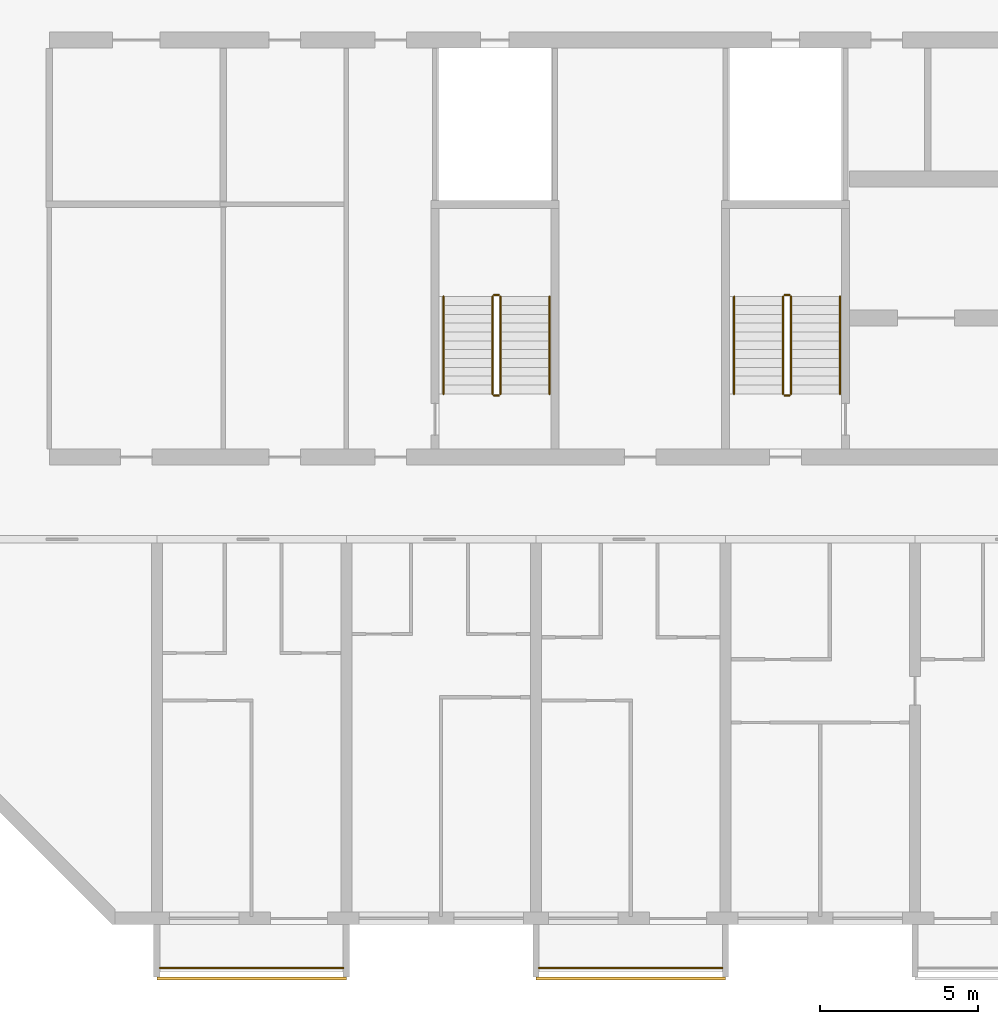
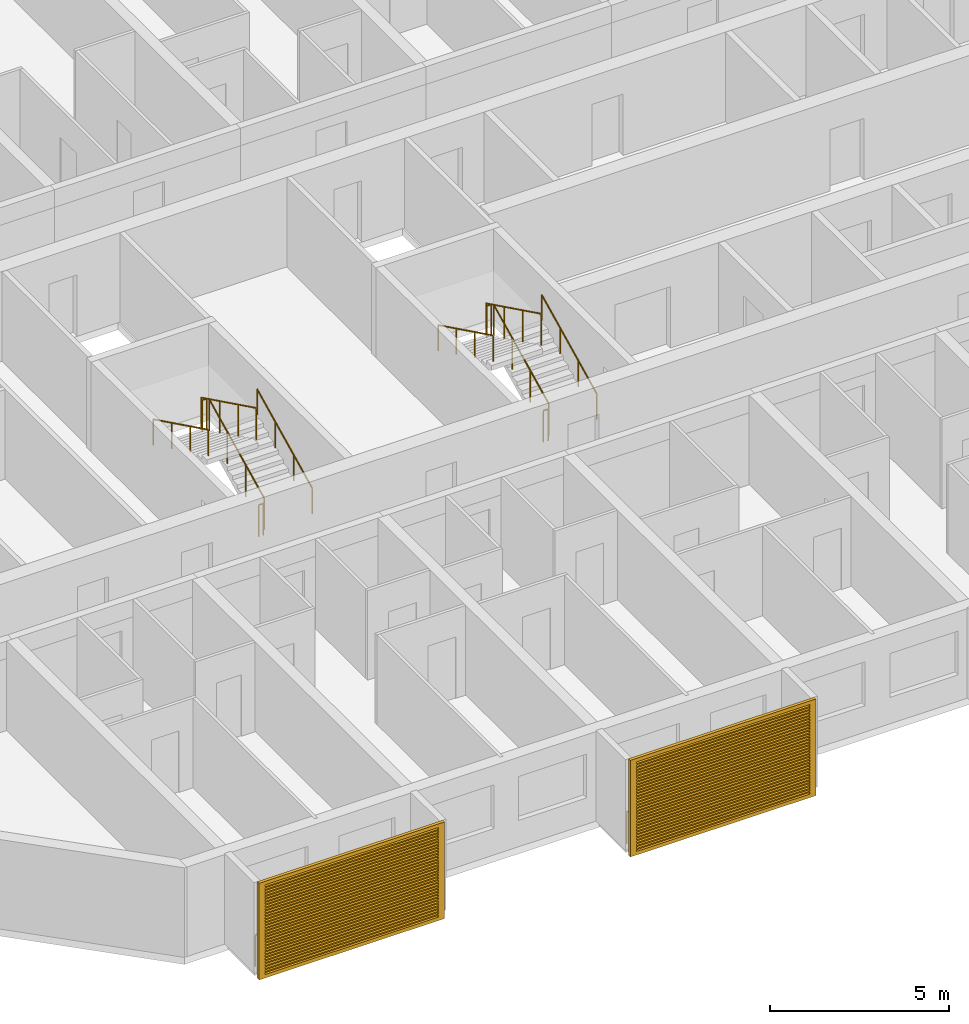
# One storey, part 17 of 26: 14 railings, 2 shading devices.
"""IFC4 building model written with IfcOpenShell, lengths in metres."""

from ifc_helpers import new_model, si_unit, direction, frame, origin, origin_2d, place, context, subcontext, project, spatial, polyline, circle, outline, extrude, source, transform, mapped, material, material_profile, profile_set, type_object, element, save


model = new_model("IFC4")

# Units and contexts
model_context = context("Model", 3, precision=1e-05, world=origin(), true_north=direction((0.0, 1.0)))
body_context = subcontext(model_context, "Body", "Model", "MODEL_VIEW")
ifc_project = project(units=[si_unit("LENGTHUNIT", "METRE"), si_unit("AREAUNIT", "SQUARE_METRE"), si_unit("VOLUMEUNIT", "CUBIC_METRE"), si_unit("PLANEANGLEUNIT", "RADIAN"), si_unit("MASSUNIT", "GRAM", prefix="KILO")], contexts=[model_context])

# Site, building, storey
site_placement = place(None, origin())
site = spatial("IfcSite", under=ifc_project, at=site_placement, CompositionType="ELEMENT")
building_placement = place(site_placement, origin())
building = spatial("IfcBuilding", under=site, at=building_placement, Name="Poui Terraces", CompositionType="ELEMENT")
storey_placement = place(building_placement, frame((0.0, 0.0, 79.5)))
storey = spatial("IfcBuildingStorey", under=building, at=storey_placement, Name="L21", CompositionType="ELEMENT", Elevation=79.5)

# Railings
ifc_material_1 = material(Name="Painted steel fretwork", Category="steel")
railing_type_1 = type_object("IfcRailingType", Name="BALCONY GUARD 1100", PredefinedType="GUARDRAIL", material=ifc_material_1)
for number, where, name in (
    (1, (12.10009765625, -1.570068359375, 0.0), "BALCONY GUARD"),
    (2, (24.10009765625, -1.570068359375, 0.0), "BALCONY GUARD"),
):
    element("IfcRailing", number, at=place(storey_placement, frame(where)), inside=storey, type_object=railing_type_1, Name=name, PredefinedType="GUARDRAIL", context=body_context, shape_type="SweptSolid", body=[
        extrude(circle(Radius=0.02392578125, at=origin_2d()), frame((0.0, 0.0, 1.076171875), z_axis=(1.0, 0.0, 0.0), x_axis=(0.0, 1.0, 0.0)), (0.0, 0.0, 1.0), 5.7998046875),
        extrude(circle(Radius=0.02099609375, at=origin_2d()), origin(), (0.0, 0.0, 1.0), 1.052001953125),
        extrude(circle(Radius=0.02099609375, at=origin_2d()), frame((0.966552734375, 0.0, 0.0)), (0.0, 0.0, 1.0), 1.052001953125),
        extrude(circle(Radius=0.02099609375, at=origin_2d()), frame((1.933349609375, 0.0, 0.0)), (0.0, 0.0, 1.0), 1.052001953125),
        extrude(circle(Radius=0.02099609375, at=origin_2d()), frame((2.89990234375, 0.0, 0.0)), (0.0, 0.0, 1.0), 1.052001953125),
        extrude(circle(Radius=0.02099609375, at=origin_2d()), frame((3.866455078125, 0.0, 0.0)), (0.0, 0.0, 1.0), 1.052001953125),
        extrude(circle(Radius=0.02099609375, at=origin_2d()), frame((4.833251953125, 0.0, 0.0)), (0.0, 0.0, 1.0), 1.052001953125),
        extrude(circle(Radius=0.02099609375, at=origin_2d()), frame((5.7998046875, 0.0, 0.0)), (0.0, 0.0, 1.0), 1.052001953125),
    ])
ifc_material_2 = material(Name="Galvanised steel balustrade", Category="steel")
railing_type_2 = type_object("IfcRailingType", Name="STAIR GUARD 1100", PredefinedType="GUARDRAIL", material=ifc_material_2)
railing_1_placement = place(storey_placement, frame((32.074951171875, 16.60009765625, 0.137451171875)))
element("IfcRailing", 3, at=railing_1_placement, inside=storey, type_object=railing_type_2, Name="L21 ST-CW stair guard 1", PredefinedType="GUARDRAIL", context=body_context, shape_type="SweptSolid", body=[
    extrude(circle(Radius=0.02392578125, at=origin_2d()), frame((0.0, 0.0, 1.076171875), z_axis=(0.0, 0.897606190399, 0.440798283751), x_axis=(-1.0, 0.0, 0.0)), (0.0, 0.0, 1.0), 3.43115234375),
    extrude(circle(Radius=0.02099609375, at=origin_2d()), origin(), (0.0, 0.0, 1.0), 1.052001953125),
    extrude(circle(Radius=0.02099609375, at=origin_2d()), frame((0.0, 1.026611328125, 0.504150390625)), (0.0, 0.0, 1.0), 1.052001953125),
    extrude(circle(Radius=0.02099609375, at=origin_2d()), frame((0.0, 2.05322265625, 1.00830078125)), (0.0, 0.0, 1.0), 1.052001953125),
    extrude(circle(Radius=0.02099609375, at=origin_2d()), frame((0.0, 3.079833984375, 1.512451171875)), (0.0, 0.0, 1.0), 1.052001953125),
])
railing_2_placement = place(storey_placement, frame((32.02490234375, 19.72998046875, 1.64990234375)))
element("IfcRailing", 4, at=railing_2_placement, inside=storey, type_object=railing_type_2, Name="L21 ST-CW stair guard 2", PredefinedType="GUARDRAIL", context=body_context, shape_type="SweptSolid", body=[
    extrude(circle(Radius=0.02392578125, at=origin_2d()), frame((0.0, 0.0, 1.076171875), z_axis=(-1.0, 0.0, 0.0), x_axis=(0.0, -1.0, 0.0)), (0.0, 0.0, 1.0), 0.14990234375),
    extrude(circle(Radius=0.02099609375, at=origin_2d()), origin(), (0.0, 0.0, 1.0), 1.052001953125),
    extrude(circle(Radius=0.02099609375, at=origin_2d()), frame((-0.14990234375, 0.0, 0.0)), (0.0, 0.0, 1.0), 1.052001953125),
])
railing_3_placement = place(storey_placement, frame((31.824951171875, 19.679931640625, 1.78759765625)))
element("IfcRailing", 5, at=railing_3_placement, inside=storey, type_object=railing_type_2, Name="L21 ST-CW stair guard 3", PredefinedType="GUARDRAIL", context=body_context, shape_type="SweptSolid", body=[
    extrude(circle(Radius=0.02392578125, at=origin_2d()), frame((0.0, 0.0, 1.076171875), z_axis=(0.0, -0.897606190399, 0.440798283751), x_axis=(1.0, 0.0, 0.0)), (0.0, 0.0, 1.0), 3.43115234375),
    extrude(circle(Radius=0.02099609375, at=origin_2d()), origin(), (0.0, 0.0, 1.0), 1.052001953125),
    extrude(circle(Radius=0.02099609375, at=origin_2d()), frame((0.0, -1.026611328125, 0.504150390625)), (0.0, 0.0, 1.0), 1.052001953125),
    extrude(circle(Radius=0.02099609375, at=origin_2d()), frame((0.0, -2.05322265625, 1.00830078125)), (0.0, 0.0, 1.0), 1.052001953125),
    extrude(circle(Radius=0.02099609375, at=origin_2d()), frame((0.0, -3.079833984375, 1.512451171875)), (0.0, 0.0, 1.0), 1.052001953125),
])
railing_4_placement = place(storey_placement, frame((32.02490234375, 16.550048828125, 0.0)))
element("IfcRailing", 6, at=railing_4_placement, inside=storey, type_object=railing_type_2, Name="L21 ST-CW stair guard 4", PredefinedType="GUARDRAIL", context=body_context, shape_type="SweptSolid", body=[
    extrude(circle(Radius=0.02392578125, at=origin_2d()), frame((0.0, 0.0, 1.076171875), z_axis=(-1.0, 0.0, 0.0), x_axis=(0.0, -1.0, 0.0)), (0.0, 0.0, 1.0), 0.14990234375),
    extrude(circle(Radius=0.02099609375, at=origin_2d()), origin(), (0.0, 0.0, 1.0), 1.052001953125),
    extrude(circle(Radius=0.02099609375, at=origin_2d()), frame((-0.14990234375, 0.0, 0.0)), (0.0, 0.0, 1.0), 1.052001953125),
])
railing_5_placement = place(storey_placement, frame((22.875, 16.60009765625, 0.137451171875)))
element("IfcRailing", 7, at=railing_5_placement, inside=storey, type_object=railing_type_2, Name="L21 ST-W stair guard 1", PredefinedType="GUARDRAIL", context=body_context, shape_type="SweptSolid", body=[
    extrude(circle(Radius=0.02392578125, at=origin_2d()), frame((0.0, 0.0, 1.076171875), z_axis=(0.0, 0.897606190399, 0.440798283751), x_axis=(-1.0, 0.0, 0.0)), (0.0, 0.0, 1.0), 3.43115234375),
    extrude(circle(Radius=0.02099609375, at=origin_2d()), origin(), (0.0, 0.0, 1.0), 1.052001953125),
    extrude(circle(Radius=0.02099609375, at=origin_2d()), frame((0.0, 1.026611328125, 0.504150390625)), (0.0, 0.0, 1.0), 1.052001953125),
    extrude(circle(Radius=0.02099609375, at=origin_2d()), frame((0.0, 2.05322265625, 1.00830078125)), (0.0, 0.0, 1.0), 1.052001953125),
    extrude(circle(Radius=0.02099609375, at=origin_2d()), frame((0.0, 3.079833984375, 1.512451171875)), (0.0, 0.0, 1.0), 1.052001953125),
])
railing_6_placement = place(storey_placement, frame((22.824951171875, 19.72998046875, 1.64990234375)))
element("IfcRailing", 8, at=railing_6_placement, inside=storey, type_object=railing_type_2, Name="L21 ST-W stair guard 2", PredefinedType="GUARDRAIL", context=body_context, shape_type="SweptSolid", body=[
    extrude(circle(Radius=0.02392578125, at=origin_2d()), frame((0.0, 0.0, 1.076171875), z_axis=(-1.0, 0.0, 0.0), x_axis=(0.0, -1.0, 0.0)), (0.0, 0.0, 1.0), 0.14990234375),
    extrude(circle(Radius=0.02099609375, at=origin_2d()), origin(), (0.0, 0.0, 1.0), 1.052001953125),
    extrude(circle(Radius=0.02099609375, at=origin_2d()), frame((-0.14990234375, 0.0, 0.0)), (0.0, 0.0, 1.0), 1.052001953125),
])
railing_7_placement = place(storey_placement, frame((22.625, 19.679931640625, 1.78759765625)))
element("IfcRailing", 9, at=railing_7_placement, inside=storey, type_object=railing_type_2, Name="L21 ST-W stair guard 3", PredefinedType="GUARDRAIL", context=body_context, shape_type="SweptSolid", body=[
    extrude(circle(Radius=0.02392578125, at=origin_2d()), frame((0.0, 0.0, 1.076171875), z_axis=(0.0, -0.897606190399, 0.440798283751), x_axis=(1.0, 0.0, 0.0)), (0.0, 0.0, 1.0), 3.43115234375),
    extrude(circle(Radius=0.02099609375, at=origin_2d()), origin(), (0.0, 0.0, 1.0), 1.052001953125),
    extrude(circle(Radius=0.02099609375, at=origin_2d()), frame((0.0, -1.026611328125, 0.504150390625)), (0.0, 0.0, 1.0), 1.052001953125),
    extrude(circle(Radius=0.02099609375, at=origin_2d()), frame((0.0, -2.05322265625, 1.00830078125)), (0.0, 0.0, 1.0), 1.052001953125),
    extrude(circle(Radius=0.02099609375, at=origin_2d()), frame((0.0, -3.079833984375, 1.512451171875)), (0.0, 0.0, 1.0), 1.052001953125),
])
railing_8_placement = place(storey_placement, frame((22.824951171875, 16.550048828125, 0.0)))
element("IfcRailing", 10, at=railing_8_placement, inside=storey, type_object=railing_type_2, Name="L21 ST-W stair guard 4", PredefinedType="GUARDRAIL", context=body_context, shape_type="SweptSolid", body=[
    extrude(circle(Radius=0.02392578125, at=origin_2d()), frame((0.0, 0.0, 1.076171875), z_axis=(-1.0, 0.0, 0.0), x_axis=(0.0, -1.0, 0.0)), (0.0, 0.0, 1.0), 0.14990234375),
    extrude(circle(Radius=0.02099609375, at=origin_2d()), origin(), (0.0, 0.0, 1.0), 1.052001953125),
    extrude(circle(Radius=0.02099609375, at=origin_2d()), frame((-0.14990234375, 0.0, 0.0)), (0.0, 0.0, 1.0), 1.052001953125),
])
ifc_material_3 = material(Name="Stainless steel handrail", Category="steel")
railing_type_3 = type_object("IfcRailingType", Name="STAIR HANDRAIL 900", PredefinedType="HANDRAIL", material=ifc_material_3)
railing_9_placement = place(storey_placement, frame((33.625, 16.60009765625, 0.137451171875)))
element("IfcRailing", 11, at=railing_9_placement, inside=storey, type_object=railing_type_3, Name="L21 ST-CW stair handrail 1", PredefinedType="HANDRAIL", context=body_context, shape_type="SweptSolid", body=[
    extrude(circle(Radius=0.02392578125, at=origin_2d()), frame((0.0, 0.0, 0.8759765625), z_axis=(0.0, 0.897606190399, 0.440798283751), x_axis=(-1.0, 0.0, 0.0)), (0.0, 0.0, 1.0), 3.43115234375),
    extrude(circle(Radius=0.02099609375, at=origin_2d()), origin(), (0.0, 0.0, 1.0), 0.851806640625),
    extrude(circle(Radius=0.02099609375, at=origin_2d()), frame((0.0, 1.026611328125, 0.504150390625)), (0.0, 0.0, 1.0), 0.851806640625),
    extrude(circle(Radius=0.02099609375, at=origin_2d()), frame((0.0, 2.05322265625, 1.00830078125)), (0.0, 0.0, 1.0), 0.851806640625),
    extrude(circle(Radius=0.02099609375, at=origin_2d()), frame((0.0, 3.079833984375, 1.512451171875)), (0.0, 0.0, 1.0), 0.851806640625),
])
railing_10_placement = place(storey_placement, frame((30.27490234375, 19.679931640625, 1.78759765625)))
element("IfcRailing", 12, at=railing_10_placement, inside=storey, type_object=railing_type_3, Name="L21 ST-CW stair handrail 2", PredefinedType="HANDRAIL", context=body_context, shape_type="SweptSolid", body=[
    extrude(circle(Radius=0.02392578125, at=origin_2d()), frame((0.0, 0.0, 0.8759765625), z_axis=(0.0, -0.897606190399, 0.440798283751), x_axis=(1.0, 0.0, 0.0)), (0.0, 0.0, 1.0), 3.43115234375),
    extrude(circle(Radius=0.02099609375, at=origin_2d()), origin(), (0.0, 0.0, 1.0), 0.851806640625),
    extrude(circle(Radius=0.02099609375, at=origin_2d()), frame((0.0, -1.026611328125, 0.504150390625)), (0.0, 0.0, 1.0), 0.851806640625),
    extrude(circle(Radius=0.02099609375, at=origin_2d()), frame((0.0, -2.05322265625, 1.00830078125)), (0.0, 0.0, 1.0), 0.851806640625),
    extrude(circle(Radius=0.02099609375, at=origin_2d()), frame((0.0, -3.079833984375, 1.512451171875)), (0.0, 0.0, 1.0), 0.851806640625),
])
railing_11_placement = place(storey_placement, frame((24.425048828125, 16.60009765625, 0.137451171875)))
element("IfcRailing", 13, at=railing_11_placement, inside=storey, type_object=railing_type_3, Name="L21 ST-W stair handrail 1", PredefinedType="HANDRAIL", context=body_context, shape_type="SweptSolid", body=[
    extrude(circle(Radius=0.02392578125, at=origin_2d()), frame((0.0, 0.0, 0.8759765625), z_axis=(0.0, 0.897606190399, 0.440798283751), x_axis=(-1.0, 0.0, 0.0)), (0.0, 0.0, 1.0), 3.43115234375),
    extrude(circle(Radius=0.02099609375, at=origin_2d()), origin(), (0.0, 0.0, 1.0), 0.851806640625),
    extrude(circle(Radius=0.02099609375, at=origin_2d()), frame((0.0, 1.026611328125, 0.504150390625)), (0.0, 0.0, 1.0), 0.851806640625),
    extrude(circle(Radius=0.02099609375, at=origin_2d()), frame((0.0, 2.05322265625, 1.00830078125)), (0.0, 0.0, 1.0), 0.851806640625),
    extrude(circle(Radius=0.02099609375, at=origin_2d()), frame((0.0, 3.079833984375, 1.512451171875)), (0.0, 0.0, 1.0), 0.851806640625),
])
railing_12_placement = place(storey_placement, frame((21.074951171875, 19.679931640625, 1.78759765625)))
element("IfcRailing", 14, at=railing_12_placement, inside=storey, type_object=railing_type_3, Name="L21 ST-W stair handrail 2", PredefinedType="HANDRAIL", context=body_context, shape_type="SweptSolid", body=[
    extrude(circle(Radius=0.02392578125, at=origin_2d()), frame((0.0, 0.0, 0.8759765625), z_axis=(0.0, -0.897606190399, 0.440798283751), x_axis=(1.0, 0.0, 0.0)), (0.0, 0.0, 1.0), 3.43115234375),
    extrude(circle(Radius=0.02099609375, at=origin_2d()), origin(), (0.0, 0.0, 1.0), 0.851806640625),
    extrude(circle(Radius=0.02099609375, at=origin_2d()), frame((0.0, -1.026611328125, 0.504150390625)), (0.0, 0.0, 1.0), 0.851806640625),
    extrude(circle(Radius=0.02099609375, at=origin_2d()), frame((0.0, -2.05322265625, 1.00830078125)), (0.0, 0.0, 1.0), 0.851806640625),
    extrude(circle(Radius=0.02099609375, at=origin_2d()), frame((0.0, -3.079833984375, 1.512451171875)), (0.0, 0.0, 1.0), 0.851806640625),
])

# Shading devices
ifc_material_4 = material(Name="Aluminium louvre", Category="aluminium")
ifc_material_profile = material_profile(ifc_material_4, outline(polyline([(-3.0, -1.64990234375), (3.0, -1.64990234375), (3.0, 1.64990234375), (-3.0, 1.64990234375), (-3.0, -1.64990234375)]), holes=[polyline([(-2.800048828125, -1.530029296875), (2.800048828125, -1.530029296875), (2.800048828125, -1.469970703125), (-2.800048828125, -1.469970703125), (-2.800048828125, -1.530029296875)]), polyline([(-2.800048828125, -1.429931640625), (2.800048828125, -1.429931640625), (2.800048828125, -1.3701171875), (-2.800048828125, -1.3701171875), (-2.800048828125, -1.429931640625)]), polyline([(-2.800048828125, -1.330078125), (2.800048828125, -1.330078125), (2.800048828125, -1.27001953125), (-2.800048828125, -1.27001953125), (-2.800048828125, -1.330078125)]), polyline([(-2.800048828125, -1.22998046875), (2.800048828125, -1.22998046875), (2.800048828125, -1.169921875), (-2.800048828125, -1.169921875), (-2.800048828125, -1.22998046875)]), polyline([(-2.800048828125, -1.1298828125), (2.800048828125, -1.1298828125), (2.800048828125, -1.070068359375), (-2.800048828125, -1.070068359375), (-2.800048828125, -1.1298828125)]), polyline([(-2.800048828125, -1.030029296875), (2.800048828125, -1.030029296875), (2.800048828125, -0.969970703125), (-2.800048828125, -0.969970703125), (-2.800048828125, -1.030029296875)]), polyline([(-2.800048828125, -0.929931640625), (2.800048828125, -0.929931640625), (2.800048828125, -0.8701171875), (-2.800048828125, -0.8701171875), (-2.800048828125, -0.929931640625)]), polyline([(-2.800048828125, -0.830078125), (2.800048828125, -0.830078125), (2.800048828125, -0.77001953125), (-2.800048828125, -0.77001953125), (-2.800048828125, -0.830078125)]), polyline([(-2.800048828125, -0.72998046875), (2.800048828125, -0.72998046875), (2.800048828125, -0.669921875), (-2.800048828125, -0.669921875), (-2.800048828125, -0.72998046875)]), polyline([(-2.800048828125, -0.6298828125), (2.800048828125, -0.6298828125), (2.800048828125, -0.570068359375), (-2.800048828125, -0.570068359375), (-2.800048828125, -0.6298828125)]), polyline([(-2.800048828125, -0.530029296875), (2.800048828125, -0.530029296875), (2.800048828125, -0.469970703125), (-2.800048828125, -0.469970703125), (-2.800048828125, -0.530029296875)]), polyline([(-2.800048828125, -0.429931640625), (2.800048828125, -0.429931640625), (2.800048828125, -0.3701171875), (-2.800048828125, -0.3701171875), (-2.800048828125, -0.429931640625)]), polyline([(-2.800048828125, -0.330078125), (2.800048828125, -0.330078125), (2.800048828125, -0.27001953125), (-2.800048828125, -0.27001953125), (-2.800048828125, -0.330078125)]), polyline([(-2.800048828125, -0.22998046875), (2.800048828125, -0.22998046875), (2.800048828125, -0.169921875), (-2.800048828125, -0.169921875), (-2.800048828125, -0.22998046875)]), polyline([(-2.800048828125, -0.1298828125), (2.800048828125, -0.1298828125), (2.800048828125, -0.070068359375), (-2.800048828125, -0.070068359375), (-2.800048828125, -0.1298828125)]), polyline([(-2.800048828125, -0.030029296875), (2.800048828125, -0.030029296875), (2.800048828125, 0.030029296875), (-2.800048828125, 0.030029296875), (-2.800048828125, -0.030029296875)]), polyline([(-2.800048828125, 0.070068359375), (2.800048828125, 0.070068359375), (2.800048828125, 0.1298828125), (-2.800048828125, 0.1298828125), (-2.800048828125, 0.070068359375)]), polyline([(-2.800048828125, 0.169921875), (2.800048828125, 0.169921875), (2.800048828125, 0.22998046875), (-2.800048828125, 0.22998046875), (-2.800048828125, 0.169921875)]), polyline([(-2.800048828125, 0.27001953125), (2.800048828125, 0.27001953125), (2.800048828125, 0.330078125), (-2.800048828125, 0.330078125), (-2.800048828125, 0.27001953125)]), polyline([(-2.800048828125, 0.3701171875), (2.800048828125, 0.3701171875), (2.800048828125, 0.429931640625), (-2.800048828125, 0.429931640625), (-2.800048828125, 0.3701171875)]), polyline([(-2.800048828125, 0.469970703125), (2.800048828125, 0.469970703125), (2.800048828125, 0.530029296875), (-2.800048828125, 0.530029296875), (-2.800048828125, 0.469970703125)]), polyline([(-2.800048828125, 0.570068359375), (2.800048828125, 0.570068359375), (2.800048828125, 0.6298828125), (-2.800048828125, 0.6298828125), (-2.800048828125, 0.570068359375)]), polyline([(-2.800048828125, 0.669921875), (2.800048828125, 0.669921875), (2.800048828125, 0.72998046875), (-2.800048828125, 0.72998046875), (-2.800048828125, 0.669921875)]), polyline([(-2.800048828125, 0.77001953125), (2.800048828125, 0.77001953125), (2.800048828125, 0.830078125), (-2.800048828125, 0.830078125), (-2.800048828125, 0.77001953125)]), polyline([(-2.800048828125, 0.8701171875), (2.800048828125, 0.8701171875), (2.800048828125, 0.929931640625), (-2.800048828125, 0.929931640625), (-2.800048828125, 0.8701171875)]), polyline([(-2.800048828125, 0.969970703125), (2.800048828125, 0.969970703125), (2.800048828125, 1.030029296875), (-2.800048828125, 1.030029296875), (-2.800048828125, 0.969970703125)]), polyline([(-2.800048828125, 1.070068359375), (2.800048828125, 1.070068359375), (2.800048828125, 1.1298828125), (-2.800048828125, 1.1298828125), (-2.800048828125, 1.070068359375)]), polyline([(-2.800048828125, 1.169921875), (2.800048828125, 1.169921875), (2.800048828125, 1.22998046875), (-2.800048828125, 1.22998046875), (-2.800048828125, 1.169921875)]), polyline([(-2.800048828125, 1.27001953125), (2.800048828125, 1.27001953125), (2.800048828125, 1.330078125), (-2.800048828125, 1.330078125), (-2.800048828125, 1.27001953125)]), polyline([(-2.800048828125, 1.3701171875), (2.800048828125, 1.3701171875), (2.800048828125, 1.429931640625), (-2.800048828125, 1.429931640625), (-2.800048828125, 1.3701171875)]), polyline([(-2.800048828125, 1.469970703125), (2.800048828125, 1.469970703125), (2.800048828125, 1.530029296875), (-2.800048828125, 1.530029296875), (-2.800048828125, 1.469970703125)])]), Name="JALOUSIE LOUVRE SHUTTER 6000X3300")
ifc_profile_set = profile_set([ifc_material_profile], Name="Aluminium louvre")
shading_device_type = type_object("IfcShadingDeviceType", Name="JALOUSIE LOUVRE SHUTTER 6000X3300", PredefinedType="JALOUSIE", material=ifc_profile_set)
shared_shape = source(origin(), body_context, "Body", "SweptSolid", [
    extrude(outline(polyline([(-3.0, -1.64990234375), (3.0, -1.64990234375), (3.0, 1.64990234375), (-3.0, 1.64990234375), (-3.0, -1.64990234375)]), holes=[polyline([(-2.800048828125, -1.530029296875), (2.800048828125, -1.530029296875), (2.800048828125, -1.469970703125), (-2.800048828125, -1.469970703125), (-2.800048828125, -1.530029296875)]), polyline([(-2.800048828125, -1.429931640625), (2.800048828125, -1.429931640625), (2.800048828125, -1.3701171875), (-2.800048828125, -1.3701171875), (-2.800048828125, -1.429931640625)]), polyline([(-2.800048828125, -1.330078125), (2.800048828125, -1.330078125), (2.800048828125, -1.27001953125), (-2.800048828125, -1.27001953125), (-2.800048828125, -1.330078125)]), polyline([(-2.800048828125, -1.22998046875), (2.800048828125, -1.22998046875), (2.800048828125, -1.169921875), (-2.800048828125, -1.169921875), (-2.800048828125, -1.22998046875)]), polyline([(-2.800048828125, -1.1298828125), (2.800048828125, -1.1298828125), (2.800048828125, -1.070068359375), (-2.800048828125, -1.070068359375), (-2.800048828125, -1.1298828125)]), polyline([(-2.800048828125, -1.030029296875), (2.800048828125, -1.030029296875), (2.800048828125, -0.969970703125), (-2.800048828125, -0.969970703125), (-2.800048828125, -1.030029296875)]), polyline([(-2.800048828125, -0.929931640625), (2.800048828125, -0.929931640625), (2.800048828125, -0.8701171875), (-2.800048828125, -0.8701171875), (-2.800048828125, -0.929931640625)]), polyline([(-2.800048828125, -0.830078125), (2.800048828125, -0.830078125), (2.800048828125, -0.77001953125), (-2.800048828125, -0.77001953125), (-2.800048828125, -0.830078125)]), polyline([(-2.800048828125, -0.72998046875), (2.800048828125, -0.72998046875), (2.800048828125, -0.669921875), (-2.800048828125, -0.669921875), (-2.800048828125, -0.72998046875)]), polyline([(-2.800048828125, -0.6298828125), (2.800048828125, -0.6298828125), (2.800048828125, -0.570068359375), (-2.800048828125, -0.570068359375), (-2.800048828125, -0.6298828125)]), polyline([(-2.800048828125, -0.530029296875), (2.800048828125, -0.530029296875), (2.800048828125, -0.469970703125), (-2.800048828125, -0.469970703125), (-2.800048828125, -0.530029296875)]), polyline([(-2.800048828125, -0.429931640625), (2.800048828125, -0.429931640625), (2.800048828125, -0.3701171875), (-2.800048828125, -0.3701171875), (-2.800048828125, -0.429931640625)]), polyline([(-2.800048828125, -0.330078125), (2.800048828125, -0.330078125), (2.800048828125, -0.27001953125), (-2.800048828125, -0.27001953125), (-2.800048828125, -0.330078125)]), polyline([(-2.800048828125, -0.22998046875), (2.800048828125, -0.22998046875), (2.800048828125, -0.169921875), (-2.800048828125, -0.169921875), (-2.800048828125, -0.22998046875)]), polyline([(-2.800048828125, -0.1298828125), (2.800048828125, -0.1298828125), (2.800048828125, -0.070068359375), (-2.800048828125, -0.070068359375), (-2.800048828125, -0.1298828125)]), polyline([(-2.800048828125, -0.030029296875), (2.800048828125, -0.030029296875), (2.800048828125, 0.030029296875), (-2.800048828125, 0.030029296875), (-2.800048828125, -0.030029296875)]), polyline([(-2.800048828125, 0.070068359375), (2.800048828125, 0.070068359375), (2.800048828125, 0.1298828125), (-2.800048828125, 0.1298828125), (-2.800048828125, 0.070068359375)]), polyline([(-2.800048828125, 0.169921875), (2.800048828125, 0.169921875), (2.800048828125, 0.22998046875), (-2.800048828125, 0.22998046875), (-2.800048828125, 0.169921875)]), polyline([(-2.800048828125, 0.27001953125), (2.800048828125, 0.27001953125), (2.800048828125, 0.330078125), (-2.800048828125, 0.330078125), (-2.800048828125, 0.27001953125)]), polyline([(-2.800048828125, 0.3701171875), (2.800048828125, 0.3701171875), (2.800048828125, 0.429931640625), (-2.800048828125, 0.429931640625), (-2.800048828125, 0.3701171875)]), polyline([(-2.800048828125, 0.469970703125), (2.800048828125, 0.469970703125), (2.800048828125, 0.530029296875), (-2.800048828125, 0.530029296875), (-2.800048828125, 0.469970703125)]), polyline([(-2.800048828125, 0.570068359375), (2.800048828125, 0.570068359375), (2.800048828125, 0.6298828125), (-2.800048828125, 0.6298828125), (-2.800048828125, 0.570068359375)]), polyline([(-2.800048828125, 0.669921875), (2.800048828125, 0.669921875), (2.800048828125, 0.72998046875), (-2.800048828125, 0.72998046875), (-2.800048828125, 0.669921875)]), polyline([(-2.800048828125, 0.77001953125), (2.800048828125, 0.77001953125), (2.800048828125, 0.830078125), (-2.800048828125, 0.830078125), (-2.800048828125, 0.77001953125)]), polyline([(-2.800048828125, 0.8701171875), (2.800048828125, 0.8701171875), (2.800048828125, 0.929931640625), (-2.800048828125, 0.929931640625), (-2.800048828125, 0.8701171875)]), polyline([(-2.800048828125, 0.969970703125), (2.800048828125, 0.969970703125), (2.800048828125, 1.030029296875), (-2.800048828125, 1.030029296875), (-2.800048828125, 0.969970703125)]), polyline([(-2.800048828125, 1.070068359375), (2.800048828125, 1.070068359375), (2.800048828125, 1.1298828125), (-2.800048828125, 1.1298828125), (-2.800048828125, 1.070068359375)]), polyline([(-2.800048828125, 1.169921875), (2.800048828125, 1.169921875), (2.800048828125, 1.22998046875), (-2.800048828125, 1.22998046875), (-2.800048828125, 1.169921875)]), polyline([(-2.800048828125, 1.27001953125), (2.800048828125, 1.27001953125), (2.800048828125, 1.330078125), (-2.800048828125, 1.330078125), (-2.800048828125, 1.27001953125)]), polyline([(-2.800048828125, 1.3701171875), (2.800048828125, 1.3701171875), (2.800048828125, 1.429931640625), (-2.800048828125, 1.429931640625), (-2.800048828125, 1.3701171875)]), polyline([(-2.800048828125, 1.469970703125), (2.800048828125, 1.469970703125), (2.800048828125, 1.530029296875), (-2.800048828125, 1.530029296875), (-2.800048828125, 1.469970703125)])]), origin(), (0.0, 0.0, 1.0), 0.099853515625),
])
for number, where, z_axis, x_axis, name in (
    (15, (15.0, -1.85009765625, 1.449951171875), (0.0, -1.0, 0.0), (1.0, 0.0, 0.0), "JALOUSIE LOUVRE SHUTTER"),
    (16, (27.0, -1.85009765625, 1.449951171875), (0.0, -1.0, 0.0), (1.0, 0.0, 0.0), "JALOUSIE LOUVRE SHUTTER"),
):
    element("IfcShadingDevice", number, at=place(storey_placement, frame(where, z_axis=z_axis, x_axis=x_axis)), inside=storey, type_object=shading_device_type, Name=name, PredefinedType="JALOUSIE", context=body_context, shape_type="MappedRepresentation", body=[
        mapped(shared_shape, transform((0.0, 0.0, 0.0))),
    ])

save(model, "model.ifc")
